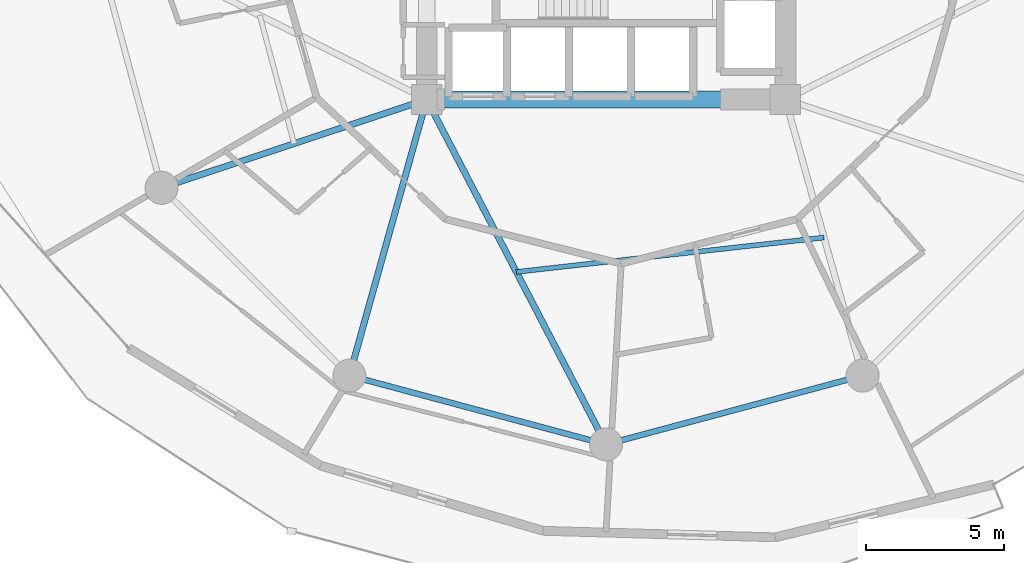
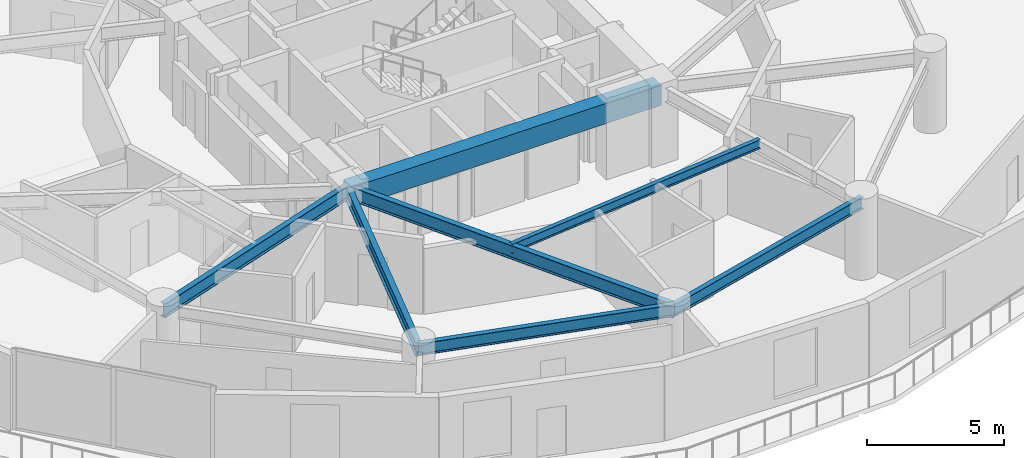
# One storey, part 3 of 23: 7 beams.
"""IFC4 building model written with IfcOpenShell, lengths in metres."""

from ifc_helpers import new_model, si_unit, direction, frame, origin, origin_2d, place, context, subcontext, project, spatial, rectangle, i_section, extrude, material, material_profile, profile_set, type_object, element, save


model = new_model("IFC4")

# Units and contexts
model_context = context("Model", 3, precision=1e-05, world=origin(), true_north=direction((0.0, 1.0)))
body_context = subcontext(model_context, "Body", "Model", "MODEL_VIEW")
ifc_project = project(units=[si_unit("LENGTHUNIT", "METRE"), si_unit("AREAUNIT", "SQUARE_METRE"), si_unit("VOLUMEUNIT", "CUBIC_METRE"), si_unit("PLANEANGLEUNIT", "RADIAN"), si_unit("MASSUNIT", "GRAM", prefix="KILO")], contexts=[model_context])

# Site, building, storey
site_placement = place(None, origin())
site = spatial("IfcSite", under=ifc_project, at=site_placement, CompositionType="ELEMENT")
building_placement = place(site_placement, origin())
building = spatial("IfcBuilding", under=site, at=building_placement, Name="Solvirekh Grand Hotel", CompositionType="ELEMENT")
storey_placement = place(building_placement, frame((0.0, 0.0, 42.800048828125)))
storey = spatial("IfcBuildingStorey", under=building, at=storey_placement, Name="L09", CompositionType="ELEMENT", Elevation=42.800048828125)

# Beams
ifc_material_1 = material(Name="Concrete C50/60", Category="concrete")
ifc_material_profile_1 = material_profile(ifc_material_1, rectangle(XDim=0.60009765625, YDim=0.89990234375, at=origin_2d()), Name="RC BEAM 600X900")
ifc_profile_set_1 = profile_set([ifc_material_profile_1], Name="Concrete C50/60")
beam_type_1 = type_object("IfcBeamType", Name="Beam_Core_RC900", PredefinedType="BEAM", material=ifc_profile_set_1)
beam_1_placement = place(storey_placement, frame((-6.5, -6.10009765625, 2.889892578125), z_axis=(1.0, 0.0, 0.0), x_axis=(0.0, 1.0, 0.0)))
element("IfcBeam", 1, at=beam_1_placement, inside=storey, type_object=beam_type_1, Name="L09 core coupling ring beam 1", PredefinedType="BEAM", context=body_context, shape_type="SweptSolid", body=[
    extrude(rectangle(XDim=0.60009765625, YDim=0.89990234375, at=origin_2d()), origin(), (0.0, 0.0, 1.0), 13.0),
])
ifc_material_2 = material(Name="Steel S355", Category="steel")
ifc_material_profile_2 = material_profile(ifc_material_2, i_section(OverallWidth=0.22802734375, OverallDepth=0.616943359375, WebThickness=0.012939453125, FlangeThickness=0.02001953125, FilletRadius=0.014892578125, at=origin_2d()), Name="W610X140")
ifc_profile_set_2 = profile_set([ifc_material_profile_2], Name="Steel S355")
beam_type_2 = type_object("IfcBeamType", Name="Beam_Radial_W610", PredefinedType="BEAM", material=ifc_profile_set_2)
beam_2_placement = place(storey_placement, frame((-6.5, -6.10009765625, 3.031005859375), z_axis=(-0.948762825819, -0.315989082635, 0.0), x_axis=(0.315989082635, -0.948762825819, 0.0)))
element("IfcBeam", 2, at=beam_2_placement, inside=storey, type_object=beam_type_2, Name="L09 radial floor beam R08", PredefinedType="BEAM", context=body_context, shape_type="SweptSolid", body=[
    extrude(i_section(OverallWidth=0.22802734375, OverallDepth=0.616943359375, WebThickness=0.012939453125, FlangeThickness=0.02001953125, FilletRadius=0.014892578125, at=origin_2d()), origin(), (0.0, 0.0, 1.0), 10.126708984375),
])
beam_3_placement = place(storey_placement, frame((-6.5, -6.10009765625, 3.031005859375), z_axis=(-0.269439084681, -0.963017434757, 0.0), x_axis=(0.963017434757, -0.269439084681, 0.0)))
element("IfcBeam", 3, at=beam_3_placement, inside=storey, type_object=beam_type_2, Name="L09 radial floor beam R09", PredefinedType="BEAM", context=body_context, shape_type="SweptSolid", body=[
    extrude(i_section(OverallWidth=0.22802734375, OverallDepth=0.616943359375, WebThickness=0.012939453125, FlangeThickness=0.02001953125, FilletRadius=0.014892578125, at=origin_2d()), origin(), (0.0, 0.0, 1.0), 10.39208984375),
])
beam_4_placement = place(storey_placement, frame((-6.5, -6.10009765625, 3.031005859375), z_axis=(0.461352736642, -0.887216801235, 0.0), x_axis=(0.887216801235, 0.461352736642, 0.0)))
element("IfcBeam", 4, at=beam_4_placement, inside=storey, type_object=beam_type_2, Name="L09 radial floor beam R10", PredefinedType="BEAM", context=body_context, shape_type="SweptSolid", body=[
    extrude(i_section(OverallWidth=0.22802734375, OverallDepth=0.616943359375, WebThickness=0.012939453125, FlangeThickness=0.02001953125, FilletRadius=0.014892578125, at=origin_2d()), origin(), (0.0, 0.0, 1.0), 14.089111328125),
])
ifc_material_profile_3 = material_profile(ifc_material_2, i_section(OverallWidth=0.177978515625, OverallDepth=0.406982421875, WebThickness=0.008056640625, FlangeThickness=0.011962890625, FilletRadius=0.011962890625, at=origin_2d()), Name="W410X60")
ifc_profile_set_3 = profile_set([ifc_material_profile_3], Name="Steel S355")
beam_type_3 = type_object("IfcBeamType", Name="Joist_Floor_W410", PredefinedType="JOIST", material=ifc_profile_set_3)
beam_5_placement = place(storey_placement, frame((-3.25, -12.35009765625, 3.136962890625), z_axis=(0.99381294191, 0.111066810937, 0.0), x_axis=(-0.111066810937, 0.99381294191, 0.0)))
element("IfcBeam", 5, at=beam_5_placement, inside=storey, type_object=beam_type_3, Name="L09 secondary composite floor joist 10", PredefinedType="JOIST", context=body_context, shape_type="SweptSolid", body=[
    extrude(i_section(OverallWidth=0.177978515625, OverallDepth=0.406982421875, WebThickness=0.008056640625, FlangeThickness=0.011962890625, FilletRadius=0.011962890625, at=origin_2d()), origin(), (0.0, 0.0, 1.0), 11.21923828125),
])
ifc_material_profile_4 = material_profile(ifc_material_2, i_section(OverallWidth=0.208984375, OverallDepth=0.532958984375, WebThickness=0.010009765625, FlangeThickness=0.014892578125, FilletRadius=0.013916015625, at=origin_2d()), Name="W530X92")
ifc_profile_set_4 = profile_set([ifc_material_profile_4], Name="Steel S355")
beam_type_4 = type_object("IfcBeamType", Name="Spandrel_Ring_W530", PredefinedType="SPANDREL", material=ifc_profile_set_4)
for number, where, z_axis, x_axis, name in (
    (6, (-9.300048828125, -16.10791015625, 3.072998046875), (0.965919414426, -0.258842973314, 0.0), (0.258842973314, 0.965919414426, 0.0), "L09 perimeter spandrel beam 9"),
    (7, (0.0, -18.60009765625, 3.072998046875), (0.965919414426, 0.258842973314, 0.0), (-0.258842973314, 0.965919414426, 0.0), "L09 perimeter spandrel beam 10"),
):
    element("IfcBeam", number, at=place(storey_placement, frame(where, z_axis=z_axis, x_axis=x_axis)), inside=storey, type_object=beam_type_4, Name=name, PredefinedType="SPANDREL", context=body_context, shape_type="SweptSolid", body=[
        extrude(i_section(OverallWidth=0.208984375, OverallDepth=0.532958984375, WebThickness=0.010009765625, FlangeThickness=0.014892578125, FilletRadius=0.013916015625, at=origin_2d()), origin(), (0.0, 0.0, 1.0), 9.628173828125),
    ])

save(model, "model.ifc")
